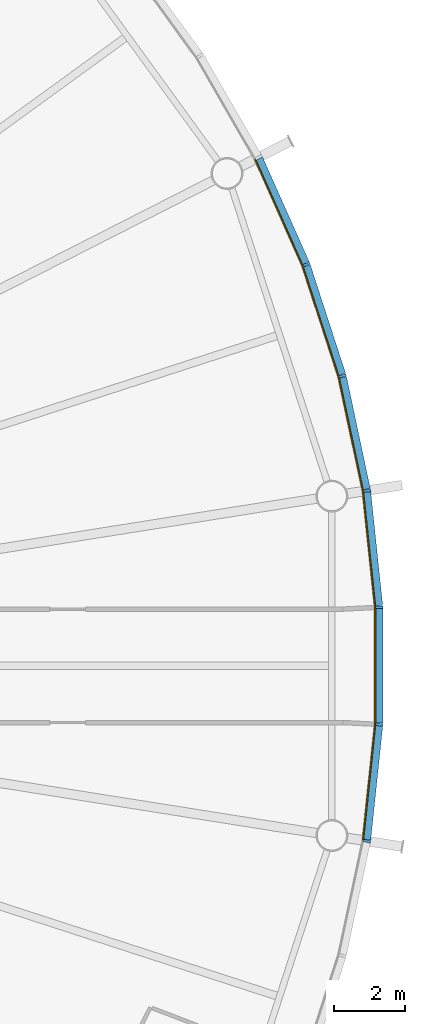
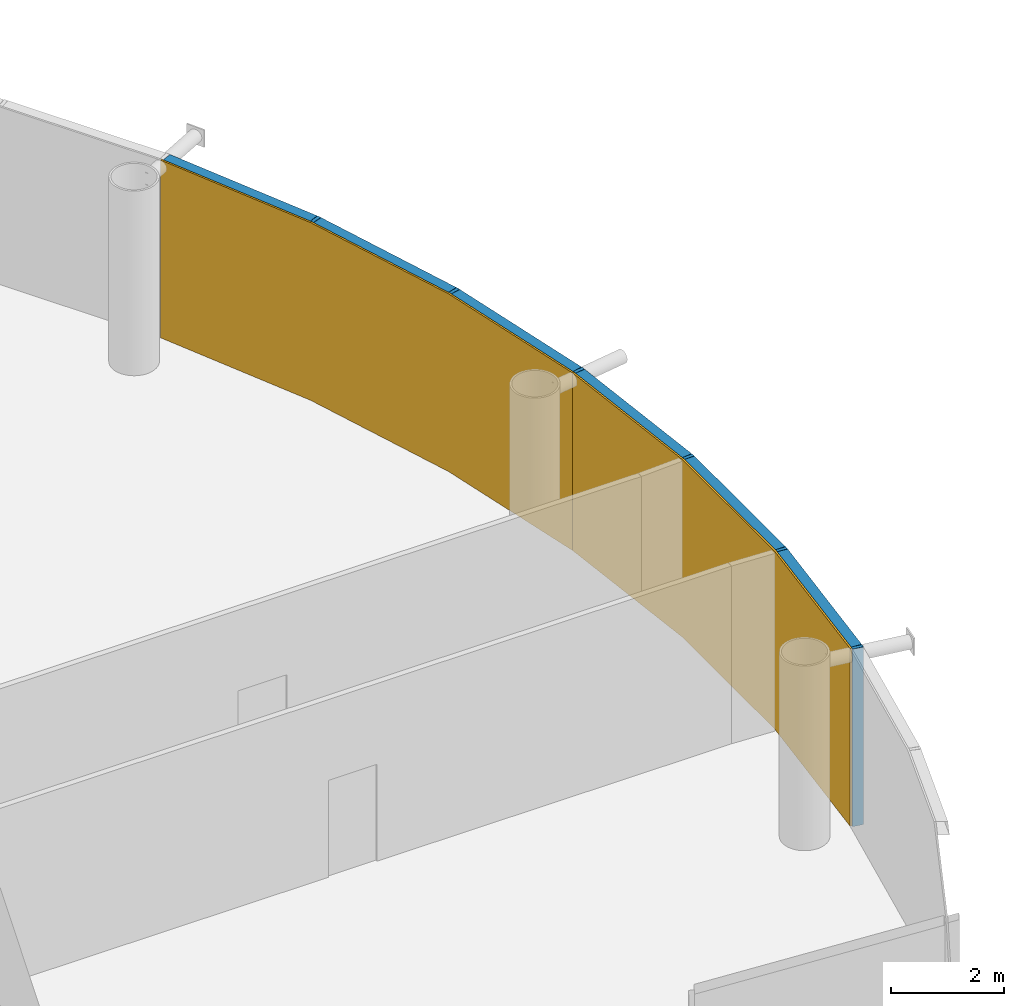
# One storey, part 16 of 18: 12 members, 2 curtain walls.
"""IFC4 building model written with IfcOpenShell, lengths in metres."""

from ifc_helpers import new_model, si_unit, direction, frame, origin, origin_2d, place, context, subcontext, project, spatial, polyline, rectangle, outline, extrude, material, layer, layer_set, material_profile, profile_set, type_object, element, aggregate, save


model = new_model("IFC4")

# Units and contexts
model_context = context("Model", 3, precision=1e-05, world=origin(), true_north=direction((0.0, 1.0)))
body_context = subcontext(model_context, "Body", "Model", "MODEL_VIEW")
ifc_project = project(units=[si_unit("LENGTHUNIT", "METRE"), si_unit("AREAUNIT", "SQUARE_METRE"), si_unit("VOLUMEUNIT", "CUBIC_METRE"), si_unit("PLANEANGLEUNIT", "RADIAN"), si_unit("MASSUNIT", "GRAM", prefix="KILO")], contexts=[model_context])

# Member
ifc_material_1 = material(Name="Anodised aluminium", Category="aluminium")
ifc_material_profile_1 = material_profile(ifc_material_1, rectangle(XDim=0.070068359375, YDim=0.205078125, at=origin_2d()), Name="Mullion 70 x 205 mm anodised aluminium")
ifc_profile_set_1 = profile_set([ifc_material_profile_1], Name="Anodised aluminium")
member_type_1 = type_object("IfcMemberType", Name="Mullion 70 x 205 mm anodised aluminium", PredefinedType="MULLION", material=ifc_profile_set_1)
site_placement = place(None, origin())
building_placement = place(site_placement, origin())
storey_placement = place(building_placement, frame((0.0, 0.0, 388.0)))
member_1_placement = place(storey_placement, frame((121.21337890625, 84.943603515625, 0.0), z_axis=(0.0, 0.0, 1.0), x_axis=(-0.15643446504, 0.987688340595, 0.0)))
member_1 = element("IfcMember", 1, at=member_1_placement, type_object=member_type_1, Name="MULLION L90-00", PredefinedType="MULLION", context=body_context, shape_type="SweptSolid", body=[
    extrude(rectangle(XDim=0.070068359375, YDim=0.205078125, at=origin_2d()), origin(), (0.0, 0.0, 1.0), 3.85009765625),
])

member_2_placement = place(storey_placement, frame((120.525634765625, 88.179443359375, 0.0), z_axis=(0.0, 0.0, 1.0), x_axis=(-0.258819045103, 0.965925826289, 0.0)))
member_2 = element("IfcMember", 2, at=member_2_placement, type_object=member_type_1, Name="MULLION L90-01", PredefinedType="MULLION", context=body_context, shape_type="SweptSolid", body=[
    extrude(rectangle(XDim=0.070068359375, YDim=0.205078125, at=origin_2d()), origin(), (0.0, 0.0, 1.0), 3.85009765625),
])

member_3_placement = place(storey_placement, frame((119.50341796875, 91.325439453125, 0.0), z_axis=(0.0, 0.0, 1.0), x_axis=(-0.358367949545, 0.933580426497, 0.0)))
member_3 = element("IfcMember", 3, at=member_3_placement, type_object=member_type_1, Name="MULLION L90-02", PredefinedType="MULLION", context=body_context, shape_type="SweptSolid", body=[
    extrude(rectangle(XDim=0.070068359375, YDim=0.205078125, at=origin_2d()), origin(), (0.0, 0.0, 1.0), 3.85009765625),
])

member_4_placement = place(storey_placement, frame((121.21337890625, 75.056396484375, 0.0), z_axis=(0.0, 0.0, 1.0), x_axis=(0.15643446504, 0.987688340595, 0.0)))
member_4 = element("IfcMember", 4, at=member_4_placement, type_object=member_type_1, Name="MULLION L90-57", PredefinedType="MULLION", context=body_context, shape_type="SweptSolid", body=[
    extrude(rectangle(XDim=0.070068359375, YDim=0.205078125, at=origin_2d()), origin(), (0.0, 0.0, 1.0), 3.85009765625),
])

member_5_placement = place(storey_placement, frame((121.55908203125, 78.345947265625, 0.0), z_axis=(0.0, 0.0, 1.0), x_axis=(0.052335956243, 0.998629534755, 0.0)))
member_5 = element("IfcMember", 5, at=member_5_placement, type_object=member_type_1, Name="MULLION L90-58", PredefinedType="MULLION", context=body_context, shape_type="SweptSolid", body=[
    extrude(rectangle(XDim=0.070068359375, YDim=0.205078125, at=origin_2d()), origin(), (0.0, 0.0, 1.0), 3.85009765625),
])

member_6_placement = place(storey_placement, frame((121.55908203125, 81.654052734375, 0.0), z_axis=(0.0, 0.0, 1.0), x_axis=(-0.052335956243, 0.998629534755, 0.0)))
member_6 = element("IfcMember", 6, at=member_6_placement, type_object=member_type_1, Name="MULLION L90-59", PredefinedType="MULLION", context=body_context, shape_type="SweptSolid", body=[
    extrude(rectangle(XDim=0.070068359375, YDim=0.205078125, at=origin_2d()), origin(), (0.0, 0.0, 1.0), 3.85009765625),
])

ifc_material_2 = material(Name="Anodised aluminium", Category="aluminium")
ifc_material_profile_2 = material_profile(ifc_material_2, rectangle(XDim=0.205078125, YDim=0.195068359375, at=origin_2d()), Name="Transom 195 x 205 mm anodised aluminium")
ifc_profile_set_2 = profile_set([ifc_material_profile_2], Name="Anodised aluminium")
member_type_2 = type_object("IfcMemberType", Name="Transom 195 x 205 mm anodised aluminium", PredefinedType="USERDEFINED", material=ifc_profile_set_2)
member_7_placement = place(storey_placement, frame((121.205078125, 84.983154296875, 3.75244140625), z_axis=(-0.207885898771, 0.978153082647, 0.0), x_axis=(-0.978153082647, -0.207885898771, 0.0)))
member_7 = element("IfcMember", 7, at=member_7_placement, type_object=member_type_2, Name="TRANSOM L90-00", ObjectType="TRANSOM", PredefinedType="USERDEFINED", context=body_context, shape_type="SweptSolid", body=[
    extrude(rectangle(XDim=0.205078125, YDim=0.195068359375, at=origin_2d()), origin(), (0.0, 0.0, 1.0), 3.227294921875),
])

member_8_placement = place(storey_placement, frame((120.513427734375, 88.2177734375, 3.75244140625), z_axis=(-0.309046726844, 0.951046855117, 0.0), x_axis=(-0.951046855117, -0.309046726844, 0.0)))
member_8 = element("IfcMember", 8, at=member_8_placement, type_object=member_type_2, Name="TRANSOM L90-01", ObjectType="TRANSOM", PredefinedType="USERDEFINED", context=body_context, shape_type="SweptSolid", body=[
    extrude(rectangle(XDim=0.205078125, YDim=0.195068359375, at=origin_2d()), origin(), (0.0, 0.0, 1.0), 3.22705078125),
])

member_9_placement = place(storey_placement, frame((119.4873046875, 91.3623046875, 3.75244140625), z_axis=(-0.406791170024, 0.913521178731, 0.0), x_axis=(-0.913521178731, -0.406791170024, 0.0)))
member_9 = element("IfcMember", 9, at=member_9_placement, type_object=member_type_2, Name="TRANSOM L90-02", ObjectType="TRANSOM", PredefinedType="USERDEFINED", context=body_context, shape_type="SweptSolid", body=[
    extrude(rectangle(XDim=0.205078125, YDim=0.195068359375, at=origin_2d()), origin(), (0.0, 0.0, 1.0), 3.22705078125),
])

member_10_placement = place(storey_placement, frame((121.2177734375, 75.096435546875, 3.75244140625), z_axis=(0.104550890115, 0.994519537956, 0.0), x_axis=(-0.994519537956, 0.104550890115, 0.0)))
member_10 = element("IfcMember", 10, at=member_10_placement, type_object=member_type_2, Name="TRANSOM L90-57", ObjectType="TRANSOM", PredefinedType="USERDEFINED", context=body_context, shape_type="SweptSolid", body=[
    extrude(rectangle(XDim=0.205078125, YDim=0.195068359375, at=origin_2d()), origin(), (0.0, 0.0, 1.0), 3.22705078125),
])

member_11_placement = place(storey_placement, frame((121.559326171875, 78.386474609375, 3.75244140625), z_axis=(0.0, 1.0, 0.0), x_axis=(-1.0, 0.0, 0.0)))
member_11 = element("IfcMember", 11, at=member_11_placement, type_object=member_type_2, Name="TRANSOM L90-58", ObjectType="TRANSOM", PredefinedType="USERDEFINED", context=body_context, shape_type="SweptSolid", body=[
    extrude(rectangle(XDim=0.205078125, YDim=0.195068359375, at=origin_2d()), origin(), (0.0, 0.0, 1.0), 3.22705078125),
])

member_12_placement = place(storey_placement, frame((121.55517578125, 81.694091796875, 3.75244140625), z_axis=(-0.104550890115, 0.994519537956, 0.0), x_axis=(-0.994519537956, -0.104550890115, 0.0)))
member_12 = element("IfcMember", 12, at=member_12_placement, type_object=member_type_2, Name="TRANSOM L90-59", ObjectType="TRANSOM", PredefinedType="USERDEFINED", context=body_context, shape_type="SweptSolid", body=[
    extrude(rectangle(XDim=0.205078125, YDim=0.195068359375, at=origin_2d()), origin(), (0.0, 0.0, 1.0), 3.22705078125),
])

# Site, building, storey
site = spatial("IfcSite", under=ifc_project, at=site_placement, CompositionType="ELEMENT")
building = spatial("IfcBuilding", under=site, at=building_placement, Name="Entoto Ring Tower", CompositionType="ELEMENT")
storey = spatial("IfcBuildingStorey", under=building, at=storey_placement, Name="L90", CompositionType="ELEMENT", Elevation=388.0)

# Curtain wall
ifc_material_3 = material(Name="Clear low-iron glass", Category="glass")
ifc_layer = layer(ifc_material_3, 0.035888671875)
ifc_layer_set = layer_set([ifc_layer], Name="Clear low-iron glass")
curtain_wall_type = type_object("IfcCurtainWallType", Name="Curtain wall system CW6 glazing 36 mm", PredefinedType="NOTDEFINED", material=ifc_layer_set)
curtain_wall_1_placement = place(storey_placement, origin())
curtain_wall_1 = element("IfcCurtainWall", 13, at=curtain_wall_1_placement, inside=storey, type_object=curtain_wall_type, Name="CW6 L90-01", PredefinedType="NOTDEFINED", context=body_context, shape_type="SweptSolid", body=[
    extrude(outline(polyline([(121.1123046875, 84.927734375), (120.4267578125, 88.15283203125), (119.40771484375, 91.28857421875), (118.066650390625, 94.30078125), (118.03466796875, 94.284423828125), (119.3740234375, 91.275634765625), (120.391845703125, 88.1435546875), (121.07666015625, 84.922119140625), (121.1123046875, 84.927734375)])), origin(), (0.0, 0.0, 1.0), 3.85009765625),
])

aggregate(curtain_wall_1, [member_1, member_2, member_3, member_7, member_8, member_9])

curtain_wall_2_placement = place(storey_placement, origin())
curtain_wall_2 = element("IfcCurtainWall", 14, at=curtain_wall_2_placement, inside=storey, type_object=curtain_wall_type, Name="CW6 L90-20", PredefinedType="NOTDEFINED", context=body_context, shape_type="SweptSolid", body=[
    extrude(outline(polyline([(121.1123046875, 75.072265625), (121.456787109375, 78.351318359375), (121.456787109375, 81.648681640625), (121.1123046875, 84.927734375), (121.07666015625, 84.922119140625), (121.4208984375, 81.646728515625), (121.4208984375, 78.353271484375), (121.07666015625, 75.077880859375), (121.1123046875, 75.072265625)])), origin(), (0.0, 0.0, 1.0), 3.85009765625),
])

aggregate(curtain_wall_2, [member_4, member_5, member_6, member_10, member_11, member_12])

save(model, "model.ifc")
